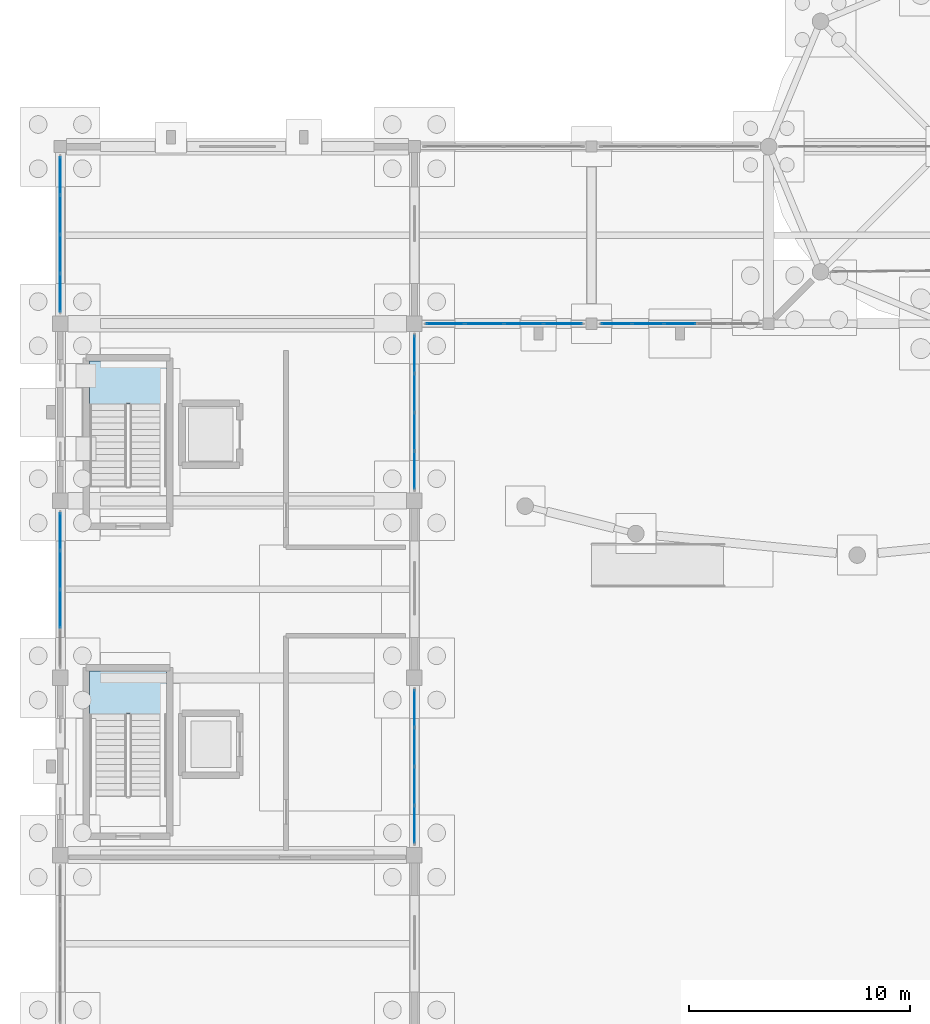
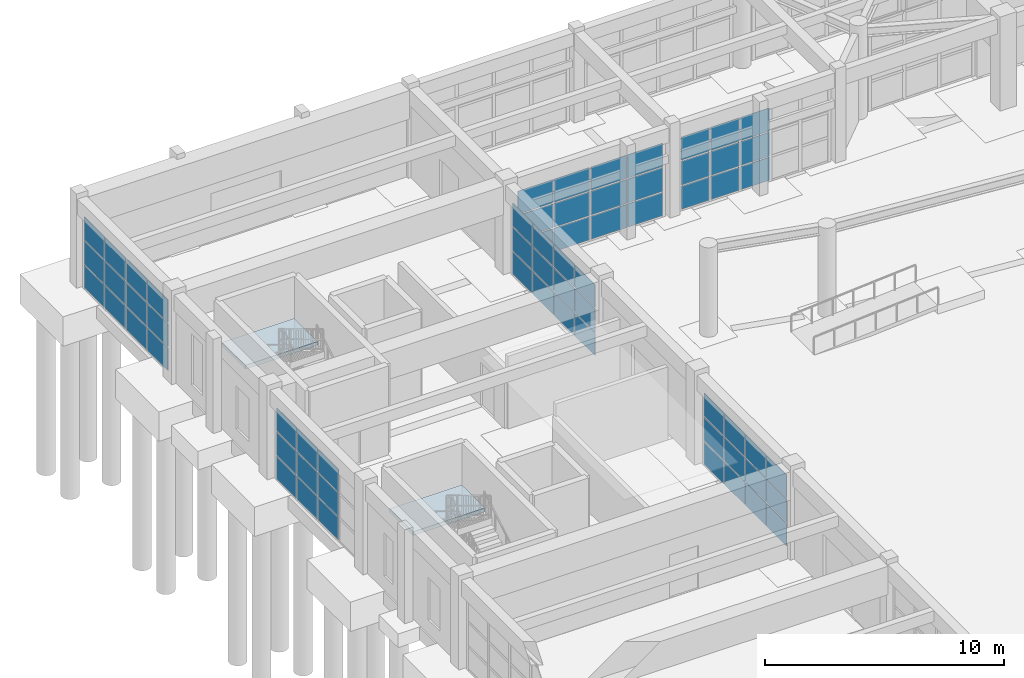
# One storey, part 36 of 68: 66 plates, 2 slabs, 8 elements without a shape of their own.
"""IFC4 building model written with IfcOpenShell, lengths in metres."""

from ifc_helpers import new_model, si_unit, direction, frame, origin, origin_2d, place, context, subcontext, project, spatial, polyline, rectangle, outline, extrude, material, layer, layer_set, type_object, element, aggregate, save


model = new_model("IFC4")

# Units and contexts
model_context = context("Model", 3, precision=1e-05, world=origin(), true_north=direction((0.0, 1.0)))
body_context = subcontext(model_context, "Body", "Model", "MODEL_VIEW")
ifc_project = project(units=[si_unit("LENGTHUNIT", "METRE"), si_unit("AREAUNIT", "SQUARE_METRE"), si_unit("VOLUMEUNIT", "CUBIC_METRE"), si_unit("PLANEANGLEUNIT", "RADIAN"), si_unit("MASSUNIT", "GRAM", prefix="KILO")], contexts=[model_context])

# Site, building, storey
site_placement = place(None, origin())
site = spatial("IfcSite", under=ifc_project, at=site_placement, CompositionType="ELEMENT")
building_placement = place(site_placement, origin())
building = spatial("IfcBuilding", under=site, at=building_placement, Name="Serraluz Foothill Cableway Terminal", CompositionType="ELEMENT")
storey_placement = place(building_placement, origin())
storey = spatial("IfcBuildingStorey", under=building, at=storey_placement, Name="L00", CompositionType="ELEMENT", Elevation=0.0)

# Curtain wall, plates
ifc_material_1 = material(Name="Architectural bronze alloy C28000", Category="aluminium")
curtain_wall_type_1 = type_object("IfcCurtainWallType", Name="TYP-CW-680X420", PredefinedType="NOTDEFINED", material=ifc_material_1)
curtain_wall_1_placement = place(storey_placement, origin())
curtain_wall_1 = element("IfcCurtainWall", 1, at=curtain_wall_1_placement, inside=storey, type_object=curtain_wall_type_1, Name="Ribbed Glazed Curtain Wall CW-V5E-L00-32", PredefinedType="NOTDEFINED")
ifc_material_2 = material(Name="Translucent ribbed laminated channel glass", Category="glass")
ifc_layer_1 = layer(ifc_material_2, 0.028076171875, Name="Translucent ribbed laminated channel glass", Category="glass")
ifc_layer_set_1 = layer_set([ifc_layer_1], Name="Translucent ribbed laminated channel glass")
plate_type = type_object("IfcPlateType", Name="TYP-CW-PNL-28", PredefinedType="CURTAIN_PANEL", material=ifc_layer_set_1)
plate_1_placement = place(storey_placement, frame((16.0, 38.617431640625, 0.06005859375), z_axis=(0.0, 0.0, 1.0), x_axis=(0.0, -1.0, 0.0)))
plate_1 = element("IfcPlate", 2, at=plate_1_placement, type_object=plate_type, Name="CW-13 panel 1.1", PredefinedType="CURTAIN_PANEL", context=body_context, shape_type="SweptSolid", body=[
    extrude(rectangle(XDim=1.6650390625, YDim=0.028076171875, at=origin_2d()), origin(), (0.0, 0.0, 1.0), 1.15673828125),
])
plate_2_placement = place(storey_placement, frame((16.0, 38.617431640625, 1.27685546875), z_axis=(0.0, 0.0, 1.0), x_axis=(0.0, -1.0, 0.0)))
plate_2 = element("IfcPlate", 3, at=plate_2_placement, type_object=plate_type, Name="CW-13 panel 1.2", PredefinedType="CURTAIN_PANEL", context=body_context, shape_type="SweptSolid", body=[
    extrude(rectangle(XDim=1.6650390625, YDim=0.028076171875, at=origin_2d()), origin(), (0.0, 0.0, 1.0), 1.1865234375),
])
plate_3_placement = place(storey_placement, frame((16.0, 38.617431640625, 2.523193359375), z_axis=(0.0, 0.0, 1.0), x_axis=(0.0, -1.0, 0.0)))
plate_3 = element("IfcPlate", 4, at=plate_3_placement, type_object=plate_type, Name="CW-13 panel 1.3", PredefinedType="CURTAIN_PANEL", context=body_context, shape_type="SweptSolid", body=[
    extrude(rectangle(XDim=1.6650390625, YDim=0.028076171875, at=origin_2d()), origin(), (0.0, 0.0, 1.0), 1.15673828125),
])
plate_4_placement = place(storey_placement, frame((16.0, 36.87744140625, 0.06005859375), z_axis=(0.0, 0.0, 1.0), x_axis=(0.0, -1.0, 0.0)))
plate_4 = element("IfcPlate", 5, at=plate_4_placement, type_object=plate_type, Name="CW-13 panel 2.1", PredefinedType="CURTAIN_PANEL", context=body_context, shape_type="SweptSolid", body=[
    extrude(rectangle(XDim=1.695068359375, YDim=0.028076171875, at=origin_2d()), origin(), (0.0, 0.0, 1.0), 1.15673828125),
])
plate_5_placement = place(storey_placement, frame((16.0, 36.87744140625, 1.27685546875), z_axis=(0.0, 0.0, 1.0), x_axis=(0.0, -1.0, 0.0)))
plate_5 = element("IfcPlate", 6, at=plate_5_placement, type_object=plate_type, Name="CW-13 panel 2.2", PredefinedType="CURTAIN_PANEL", context=body_context, shape_type="SweptSolid", body=[
    extrude(rectangle(XDim=1.695068359375, YDim=0.028076171875, at=origin_2d()), origin(), (0.0, 0.0, 1.0), 1.1865234375),
])
plate_6_placement = place(storey_placement, frame((16.0, 36.87744140625, 2.523193359375), z_axis=(0.0, 0.0, 1.0), x_axis=(0.0, -1.0, 0.0)))
plate_6 = element("IfcPlate", 7, at=plate_6_placement, type_object=plate_type, Name="CW-13 panel 2.3", PredefinedType="CURTAIN_PANEL", context=body_context, shape_type="SweptSolid", body=[
    extrude(rectangle(XDim=1.695068359375, YDim=0.028076171875, at=origin_2d()), origin(), (0.0, 0.0, 1.0), 1.15673828125),
])
plate_7_placement = place(storey_placement, frame((16.0, 35.12255859375, 0.06005859375), z_axis=(0.0, 0.0, 1.0), x_axis=(0.0, -1.0, 0.0)))
plate_7 = element("IfcPlate", 8, at=plate_7_placement, type_object=plate_type, Name="CW-13 panel 3.1", PredefinedType="CURTAIN_PANEL", context=body_context, shape_type="SweptSolid", body=[
    extrude(rectangle(XDim=1.695068359375, YDim=0.028076171875, at=origin_2d()), origin(), (0.0, 0.0, 1.0), 1.15673828125),
])
plate_8_placement = place(storey_placement, frame((16.0, 35.12255859375, 1.27685546875), z_axis=(0.0, 0.0, 1.0), x_axis=(0.0, -1.0, 0.0)))
plate_8 = element("IfcPlate", 9, at=plate_8_placement, type_object=plate_type, Name="CW-13 panel 3.2", PredefinedType="CURTAIN_PANEL", context=body_context, shape_type="SweptSolid", body=[
    extrude(rectangle(XDim=1.695068359375, YDim=0.028076171875, at=origin_2d()), origin(), (0.0, 0.0, 1.0), 1.1865234375),
])
plate_9_placement = place(storey_placement, frame((16.0, 35.12255859375, 2.523193359375), z_axis=(0.0, 0.0, 1.0), x_axis=(0.0, -1.0, 0.0)))
plate_9 = element("IfcPlate", 10, at=plate_9_placement, type_object=plate_type, Name="CW-13 panel 3.3", PredefinedType="CURTAIN_PANEL", context=body_context, shape_type="SweptSolid", body=[
    extrude(rectangle(XDim=1.695068359375, YDim=0.028076171875, at=origin_2d()), origin(), (0.0, 0.0, 1.0), 1.15673828125),
])
plate_10_placement = place(storey_placement, frame((16.0, 33.382568359375, 0.06005859375), z_axis=(0.0, 0.0, 1.0), x_axis=(0.0, -1.0, 0.0)))
plate_10 = element("IfcPlate", 11, at=plate_10_placement, type_object=plate_type, Name="CW-13 panel 4.1", PredefinedType="CURTAIN_PANEL", context=body_context, shape_type="SweptSolid", body=[
    extrude(rectangle(XDim=1.6650390625, YDim=0.028076171875, at=origin_2d()), origin(), (0.0, 0.0, 1.0), 1.15673828125),
])
plate_11_placement = place(storey_placement, frame((16.0, 33.382568359375, 1.27685546875), z_axis=(0.0, 0.0, 1.0), x_axis=(0.0, -1.0, 0.0)))
plate_11 = element("IfcPlate", 12, at=plate_11_placement, type_object=plate_type, Name="CW-13 panel 4.2", PredefinedType="CURTAIN_PANEL", context=body_context, shape_type="SweptSolid", body=[
    extrude(rectangle(XDim=1.6650390625, YDim=0.028076171875, at=origin_2d()), origin(), (0.0, 0.0, 1.0), 1.1865234375),
])
plate_12_placement = place(storey_placement, frame((16.0, 33.382568359375, 2.523193359375), z_axis=(0.0, 0.0, 1.0), x_axis=(0.0, -1.0, 0.0)))
plate_12 = element("IfcPlate", 13, at=plate_12_placement, type_object=plate_type, Name="CW-13 panel 4.3", PredefinedType="CURTAIN_PANEL", context=body_context, shape_type="SweptSolid", body=[
    extrude(rectangle(XDim=1.6650390625, YDim=0.028076171875, at=origin_2d()), origin(), (0.0, 0.0, 1.0), 1.15673828125),
])
aggregate(curtain_wall_1, [plate_1, plate_2, plate_3, plate_4, plate_5, plate_6, plate_7, plate_8, plate_9, plate_10, plate_11, plate_12])

curtain_wall_type_2 = type_object("IfcCurtainWallType", Name="TYP-CW-520X440", PredefinedType="NOTDEFINED", material=ifc_material_1)
curtain_wall_2_placement = place(storey_placement, origin())
curtain_wall_2 = element("IfcCurtainWall", 14, at=curtain_wall_2_placement, inside=storey, type_object=curtain_wall_type_2, Name="Ribbed Glazed Curtain Wall CW-V5W-L00-40", PredefinedType="NOTDEFINED")
plate_13_placement = place(storey_placement, frame((0.0, 43.12255859375, 0.06005859375), z_axis=(0.0, 0.0, 1.0), x_axis=(0.0, 1.0, 0.0)))
plate_13 = element("IfcPlate", 15, at=plate_13_placement, type_object=plate_type, Name="CW-08 panel 2.1", PredefinedType="CURTAIN_PANEL", context=body_context, shape_type="SweptSolid", body=[
    extrude(rectangle(XDim=1.695068359375, YDim=0.028076171875, at=origin_2d()), origin(), (0.0, 0.0, 1.0), 1.15673828125),
])
plate_14_placement = place(storey_placement, frame((0.0, 43.12255859375, 1.27685546875), z_axis=(0.0, 0.0, 1.0), x_axis=(0.0, 1.0, 0.0)))
plate_14 = element("IfcPlate", 16, at=plate_14_placement, type_object=plate_type, Name="CW-08 panel 2.2", PredefinedType="CURTAIN_PANEL", context=body_context, shape_type="SweptSolid", body=[
    extrude(rectangle(XDim=1.695068359375, YDim=0.028076171875, at=origin_2d()), origin(), (0.0, 0.0, 1.0), 1.1865234375),
])
plate_15_placement = place(storey_placement, frame((0.0, 43.12255859375, 2.523193359375), z_axis=(0.0, 0.0, 1.0), x_axis=(0.0, 1.0, 0.0)))
plate_15 = element("IfcPlate", 17, at=plate_15_placement, type_object=plate_type, Name="CW-08 panel 2.3", PredefinedType="CURTAIN_PANEL", context=body_context, shape_type="SweptSolid", body=[
    extrude(rectangle(XDim=1.695068359375, YDim=0.028076171875, at=origin_2d()), origin(), (0.0, 0.0, 1.0), 1.15673828125),
])
plate_16_placement = place(storey_placement, frame((0.0, 44.87744140625, 0.06005859375), z_axis=(0.0, 0.0, 1.0), x_axis=(0.0, 1.0, 0.0)))
plate_16 = element("IfcPlate", 18, at=plate_16_placement, type_object=plate_type, Name="CW-08 panel 3.1", PredefinedType="CURTAIN_PANEL", context=body_context, shape_type="SweptSolid", body=[
    extrude(rectangle(XDim=1.695068359375, YDim=0.028076171875, at=origin_2d()), origin(), (0.0, 0.0, 1.0), 1.15673828125),
])
plate_17_placement = place(storey_placement, frame((0.0, 44.87744140625, 1.27685546875), z_axis=(0.0, 0.0, 1.0), x_axis=(0.0, 1.0, 0.0)))
plate_17 = element("IfcPlate", 19, at=plate_17_placement, type_object=plate_type, Name="CW-08 panel 3.2", PredefinedType="CURTAIN_PANEL", context=body_context, shape_type="SweptSolid", body=[
    extrude(rectangle(XDim=1.695068359375, YDim=0.028076171875, at=origin_2d()), origin(), (0.0, 0.0, 1.0), 1.1865234375),
])
plate_18_placement = place(storey_placement, frame((0.0, 44.87744140625, 2.523193359375), z_axis=(0.0, 0.0, 1.0), x_axis=(0.0, 1.0, 0.0)))
plate_18 = element("IfcPlate", 20, at=plate_18_placement, type_object=plate_type, Name="CW-08 panel 3.3", PredefinedType="CURTAIN_PANEL", context=body_context, shape_type="SweptSolid", body=[
    extrude(rectangle(XDim=1.695068359375, YDim=0.028076171875, at=origin_2d()), origin(), (0.0, 0.0, 1.0), 1.15673828125),
])
plate_19_placement = place(storey_placement, frame((0.0, 46.617431640625, 0.06005859375), z_axis=(0.0, 0.0, 1.0), x_axis=(0.0, 1.0, 0.0)))
plate_19 = element("IfcPlate", 21, at=plate_19_placement, type_object=plate_type, Name="CW-08 panel 4.1", PredefinedType="CURTAIN_PANEL", context=body_context, shape_type="SweptSolid", body=[
    extrude(rectangle(XDim=1.6650390625, YDim=0.028076171875, at=origin_2d()), origin(), (0.0, 0.0, 1.0), 1.15673828125),
])
plate_20_placement = place(storey_placement, frame((0.0, 46.617431640625, 1.27685546875), z_axis=(0.0, 0.0, 1.0), x_axis=(0.0, 1.0, 0.0)))
plate_20 = element("IfcPlate", 22, at=plate_20_placement, type_object=plate_type, Name="CW-08 panel 4.2", PredefinedType="CURTAIN_PANEL", context=body_context, shape_type="SweptSolid", body=[
    extrude(rectangle(XDim=1.6650390625, YDim=0.028076171875, at=origin_2d()), origin(), (0.0, 0.0, 1.0), 1.1865234375),
])
plate_21_placement = place(storey_placement, frame((0.0, 46.617431640625, 2.523193359375), z_axis=(0.0, 0.0, 1.0), x_axis=(0.0, 1.0, 0.0)))
plate_21 = element("IfcPlate", 23, at=plate_21_placement, type_object=plate_type, Name="CW-08 panel 4.3", PredefinedType="CURTAIN_PANEL", context=body_context, shape_type="SweptSolid", body=[
    extrude(rectangle(XDim=1.6650390625, YDim=0.028076171875, at=origin_2d()), origin(), (0.0, 0.0, 1.0), 1.15673828125),
])
aggregate(curtain_wall_2, [plate_13, plate_14, plate_15, plate_16, plate_17, plate_18, plate_19, plate_20, plate_21])

curtain_wall_type_3 = type_object("IfcCurtainWallType", Name="TYP-CW-480X420", PredefinedType="NOTDEFINED", material=ifc_material_1)
curtain_wall_3_placement = place(storey_placement, origin())
curtain_wall_3 = element("IfcCurtainWall", 24, at=curtain_wall_3_placement, inside=storey, type_object=curtain_wall_type_3, Name="Ribbed Glazed Curtain Wall CW-V5E-L00-48", PredefinedType="NOTDEFINED")
plate_22_placement = place(storey_placement, frame((16.0, 54.617431640625, 0.06005859375), z_axis=(0.0, 0.0, 1.0), x_axis=(0.0, -1.0, 0.0)))
plate_22 = element("IfcPlate", 25, at=plate_22_placement, type_object=plate_type, Name="CW-15 panel 1.1", PredefinedType="CURTAIN_PANEL", context=body_context, shape_type="SweptSolid", body=[
    extrude(rectangle(XDim=1.6650390625, YDim=0.028076171875, at=origin_2d()), origin(), (0.0, 0.0, 1.0), 1.15673828125),
])
plate_23_placement = place(storey_placement, frame((16.0, 54.617431640625, 1.27685546875), z_axis=(0.0, 0.0, 1.0), x_axis=(0.0, -1.0, 0.0)))
plate_23 = element("IfcPlate", 26, at=plate_23_placement, type_object=plate_type, Name="CW-15 panel 1.2", PredefinedType="CURTAIN_PANEL", context=body_context, shape_type="SweptSolid", body=[
    extrude(rectangle(XDim=1.6650390625, YDim=0.028076171875, at=origin_2d()), origin(), (0.0, 0.0, 1.0), 1.1865234375),
])
plate_24_placement = place(storey_placement, frame((16.0, 54.617431640625, 2.523193359375), z_axis=(0.0, 0.0, 1.0), x_axis=(0.0, -1.0, 0.0)))
plate_24 = element("IfcPlate", 27, at=plate_24_placement, type_object=plate_type, Name="CW-15 panel 1.3", PredefinedType="CURTAIN_PANEL", context=body_context, shape_type="SweptSolid", body=[
    extrude(rectangle(XDim=1.6650390625, YDim=0.028076171875, at=origin_2d()), origin(), (0.0, 0.0, 1.0), 1.15673828125),
])
plate_25_placement = place(storey_placement, frame((16.0, 52.87744140625, 0.06005859375), z_axis=(0.0, 0.0, 1.0), x_axis=(0.0, -1.0, 0.0)))
plate_25 = element("IfcPlate", 28, at=plate_25_placement, type_object=plate_type, Name="CW-15 panel 2.1", PredefinedType="CURTAIN_PANEL", context=body_context, shape_type="SweptSolid", body=[
    extrude(rectangle(XDim=1.695068359375, YDim=0.028076171875, at=origin_2d()), origin(), (0.0, 0.0, 1.0), 1.15673828125),
])
plate_26_placement = place(storey_placement, frame((16.0, 52.87744140625, 1.27685546875), z_axis=(0.0, 0.0, 1.0), x_axis=(0.0, -1.0, 0.0)))
plate_26 = element("IfcPlate", 29, at=plate_26_placement, type_object=plate_type, Name="CW-15 panel 2.2", PredefinedType="CURTAIN_PANEL", context=body_context, shape_type="SweptSolid", body=[
    extrude(rectangle(XDim=1.695068359375, YDim=0.028076171875, at=origin_2d()), origin(), (0.0, 0.0, 1.0), 1.1865234375),
])
plate_27_placement = place(storey_placement, frame((16.0, 52.87744140625, 2.523193359375), z_axis=(0.0, 0.0, 1.0), x_axis=(0.0, -1.0, 0.0)))
plate_27 = element("IfcPlate", 30, at=plate_27_placement, type_object=plate_type, Name="CW-15 panel 2.3", PredefinedType="CURTAIN_PANEL", context=body_context, shape_type="SweptSolid", body=[
    extrude(rectangle(XDim=1.695068359375, YDim=0.028076171875, at=origin_2d()), origin(), (0.0, 0.0, 1.0), 1.15673828125),
])
plate_28_placement = place(storey_placement, frame((16.0, 51.12255859375, 0.06005859375), z_axis=(0.0, 0.0, 1.0), x_axis=(0.0, -1.0, 0.0)))
plate_28 = element("IfcPlate", 31, at=plate_28_placement, type_object=plate_type, Name="CW-15 panel 3.1", PredefinedType="CURTAIN_PANEL", context=body_context, shape_type="SweptSolid", body=[
    extrude(rectangle(XDim=1.695068359375, YDim=0.028076171875, at=origin_2d()), origin(), (0.0, 0.0, 1.0), 1.15673828125),
])
plate_29_placement = place(storey_placement, frame((16.0, 51.12255859375, 1.27685546875), z_axis=(0.0, 0.0, 1.0), x_axis=(0.0, -1.0, 0.0)))
plate_29 = element("IfcPlate", 32, at=plate_29_placement, type_object=plate_type, Name="CW-15 panel 3.2", PredefinedType="CURTAIN_PANEL", context=body_context, shape_type="SweptSolid", body=[
    extrude(rectangle(XDim=1.695068359375, YDim=0.028076171875, at=origin_2d()), origin(), (0.0, 0.0, 1.0), 1.1865234375),
])
plate_30_placement = place(storey_placement, frame((16.0, 51.12255859375, 2.523193359375), z_axis=(0.0, 0.0, 1.0), x_axis=(0.0, -1.0, 0.0)))
plate_30 = element("IfcPlate", 33, at=plate_30_placement, type_object=plate_type, Name="CW-15 panel 3.3", PredefinedType="CURTAIN_PANEL", context=body_context, shape_type="SweptSolid", body=[
    extrude(rectangle(XDim=1.695068359375, YDim=0.028076171875, at=origin_2d()), origin(), (0.0, 0.0, 1.0), 1.15673828125),
])
plate_31_placement = place(storey_placement, frame((16.0, 49.382568359375, 0.06005859375), z_axis=(0.0, 0.0, 1.0), x_axis=(0.0, -1.0, 0.0)))
plate_31 = element("IfcPlate", 34, at=plate_31_placement, type_object=plate_type, Name="CW-15 panel 4.1", PredefinedType="CURTAIN_PANEL", context=body_context, shape_type="SweptSolid", body=[
    extrude(rectangle(XDim=1.6650390625, YDim=0.028076171875, at=origin_2d()), origin(), (0.0, 0.0, 1.0), 1.15673828125),
])
plate_32_placement = place(storey_placement, frame((16.0, 49.382568359375, 1.27685546875), z_axis=(0.0, 0.0, 1.0), x_axis=(0.0, -1.0, 0.0)))
plate_32 = element("IfcPlate", 35, at=plate_32_placement, type_object=plate_type, Name="CW-15 panel 4.2", PredefinedType="CURTAIN_PANEL", context=body_context, shape_type="SweptSolid", body=[
    extrude(rectangle(XDim=1.6650390625, YDim=0.028076171875, at=origin_2d()), origin(), (0.0, 0.0, 1.0), 1.1865234375),
])
plate_33_placement = place(storey_placement, frame((16.0, 49.382568359375, 2.523193359375), z_axis=(0.0, 0.0, 1.0), x_axis=(0.0, -1.0, 0.0)))
plate_33 = element("IfcPlate", 36, at=plate_33_placement, type_object=plate_type, Name="CW-15 panel 4.3", PredefinedType="CURTAIN_PANEL", context=body_context, shape_type="SweptSolid", body=[
    extrude(rectangle(XDim=1.6650390625, YDim=0.028076171875, at=origin_2d()), origin(), (0.0, 0.0, 1.0), 1.15673828125),
])
aggregate(curtain_wall_3, [plate_22, plate_23, plate_24, plate_25, plate_26, plate_27, plate_28, plate_29, plate_30, plate_31, plate_32, plate_33])

curtain_wall_type_4 = type_object("IfcCurtainWallType", Name="TYP-CW-540X420", PredefinedType="NOTDEFINED", material=ifc_material_1)
curtain_wall_4_placement = place(storey_placement, origin())
curtain_wall_4 = element("IfcCurtainWall", 37, at=curtain_wall_4_placement, inside=storey, type_object=curtain_wall_type_4, Name="Ribbed Glazed Curtain Wall CW-V5W-L00-56", PredefinedType="NOTDEFINED")
plate_34_placement = place(storey_placement, frame((0.0, 57.391845703125, 0.06005859375), z_axis=(0.0, 0.0, 1.0), x_axis=(0.0, 1.0, 0.0)))
plate_34 = element("IfcPlate", 38, at=plate_34_placement, type_object=plate_type, Name="CW-10 panel 1.1", PredefinedType="CURTAIN_PANEL", context=body_context, shape_type="SweptSolid", body=[
    extrude(rectangle(XDim=1.683837890625, YDim=0.028076171875, at=origin_2d()), origin(), (0.0, 0.0, 1.0), 1.15673828125),
])
plate_35_placement = place(storey_placement, frame((0.0, 57.391845703125, 1.27685546875), z_axis=(0.0, 0.0, 1.0), x_axis=(0.0, 1.0, 0.0)))
plate_35 = element("IfcPlate", 39, at=plate_35_placement, type_object=plate_type, Name="CW-10 panel 1.2", PredefinedType="CURTAIN_PANEL", context=body_context, shape_type="SweptSolid", body=[
    extrude(rectangle(XDim=1.683837890625, YDim=0.028076171875, at=origin_2d()), origin(), (0.0, 0.0, 1.0), 1.1865234375),
])
plate_36_placement = place(storey_placement, frame((0.0, 57.391845703125, 2.523193359375), z_axis=(0.0, 0.0, 1.0), x_axis=(0.0, 1.0, 0.0)))
plate_36 = element("IfcPlate", 40, at=plate_36_placement, type_object=plate_type, Name="CW-10 panel 1.3", PredefinedType="CURTAIN_PANEL", context=body_context, shape_type="SweptSolid", body=[
    extrude(rectangle(XDim=1.683837890625, YDim=0.028076171875, at=origin_2d()), origin(), (0.0, 0.0, 1.0), 1.15673828125),
])
plate_37_placement = place(storey_placement, frame((0.0, 59.150634765625, 0.06005859375), z_axis=(0.0, 0.0, 1.0), x_axis=(0.0, 1.0, 0.0)))
plate_37 = element("IfcPlate", 41, at=plate_37_placement, type_object=plate_type, Name="CW-10 panel 2.1", PredefinedType="CURTAIN_PANEL", context=body_context, shape_type="SweptSolid", body=[
    extrude(rectangle(XDim=1.7138671875, YDim=0.028076171875, at=origin_2d()), origin(), (0.0, 0.0, 1.0), 1.15673828125),
])
plate_38_placement = place(storey_placement, frame((0.0, 59.150634765625, 1.27685546875), z_axis=(0.0, 0.0, 1.0), x_axis=(0.0, 1.0, 0.0)))
plate_38 = element("IfcPlate", 42, at=plate_38_placement, type_object=plate_type, Name="CW-10 panel 2.2", PredefinedType="CURTAIN_PANEL", context=body_context, shape_type="SweptSolid", body=[
    extrude(rectangle(XDim=1.7138671875, YDim=0.028076171875, at=origin_2d()), origin(), (0.0, 0.0, 1.0), 1.1865234375),
])
plate_39_placement = place(storey_placement, frame((0.0, 59.150634765625, 2.523193359375), z_axis=(0.0, 0.0, 1.0), x_axis=(0.0, 1.0, 0.0)))
plate_39 = element("IfcPlate", 43, at=plate_39_placement, type_object=plate_type, Name="CW-10 panel 2.3", PredefinedType="CURTAIN_PANEL", context=body_context, shape_type="SweptSolid", body=[
    extrude(rectangle(XDim=1.7138671875, YDim=0.028076171875, at=origin_2d()), origin(), (0.0, 0.0, 1.0), 1.15673828125),
])
plate_40_placement = place(storey_placement, frame((0.0, 60.92431640625, 0.06005859375), z_axis=(0.0, 0.0, 1.0), x_axis=(0.0, 1.0, 0.0)))
plate_40 = element("IfcPlate", 44, at=plate_40_placement, type_object=plate_type, Name="CW-10 panel 3.1", PredefinedType="CURTAIN_PANEL", context=body_context, shape_type="SweptSolid", body=[
    extrude(rectangle(XDim=1.7138671875, YDim=0.028076171875, at=origin_2d()), origin(), (0.0, 0.0, 1.0), 1.15673828125),
])
plate_41_placement = place(storey_placement, frame((0.0, 60.92431640625, 1.27685546875), z_axis=(0.0, 0.0, 1.0), x_axis=(0.0, 1.0, 0.0)))
plate_41 = element("IfcPlate", 45, at=plate_41_placement, type_object=plate_type, Name="CW-10 panel 3.2", PredefinedType="CURTAIN_PANEL", context=body_context, shape_type="SweptSolid", body=[
    extrude(rectangle(XDim=1.7138671875, YDim=0.028076171875, at=origin_2d()), origin(), (0.0, 0.0, 1.0), 1.1865234375),
])
plate_42_placement = place(storey_placement, frame((0.0, 60.92431640625, 2.523193359375), z_axis=(0.0, 0.0, 1.0), x_axis=(0.0, 1.0, 0.0)))
plate_42 = element("IfcPlate", 46, at=plate_42_placement, type_object=plate_type, Name="CW-10 panel 3.3", PredefinedType="CURTAIN_PANEL", context=body_context, shape_type="SweptSolid", body=[
    extrude(rectangle(XDim=1.7138671875, YDim=0.028076171875, at=origin_2d()), origin(), (0.0, 0.0, 1.0), 1.15673828125),
])
plate_43_placement = place(storey_placement, frame((0.0, 62.68310546875, 0.06005859375), z_axis=(0.0, 0.0, 1.0), x_axis=(0.0, 1.0, 0.0)))
plate_43 = element("IfcPlate", 47, at=plate_43_placement, type_object=plate_type, Name="CW-10 panel 4.1", PredefinedType="CURTAIN_PANEL", context=body_context, shape_type="SweptSolid", body=[
    extrude(rectangle(XDim=1.683837890625, YDim=0.028076171875, at=origin_2d()), origin(), (0.0, 0.0, 1.0), 1.15673828125),
])
plate_44_placement = place(storey_placement, frame((0.0, 62.68310546875, 1.27685546875), z_axis=(0.0, 0.0, 1.0), x_axis=(0.0, 1.0, 0.0)))
plate_44 = element("IfcPlate", 48, at=plate_44_placement, type_object=plate_type, Name="CW-10 panel 4.2", PredefinedType="CURTAIN_PANEL", context=body_context, shape_type="SweptSolid", body=[
    extrude(rectangle(XDim=1.683837890625, YDim=0.028076171875, at=origin_2d()), origin(), (0.0, 0.0, 1.0), 1.1865234375),
])
plate_45_placement = place(storey_placement, frame((0.0, 62.68310546875, 2.523193359375), z_axis=(0.0, 0.0, 1.0), x_axis=(0.0, 1.0, 0.0)))
plate_45 = element("IfcPlate", 49, at=plate_45_placement, type_object=plate_type, Name="CW-10 panel 4.3", PredefinedType="CURTAIN_PANEL", context=body_context, shape_type="SweptSolid", body=[
    extrude(rectangle(XDim=1.683837890625, YDim=0.028076171875, at=origin_2d()), origin(), (0.0, 0.0, 1.0), 1.15673828125),
])
aggregate(curtain_wall_4, [plate_34, plate_35, plate_36, plate_37, plate_38, plate_39, plate_40, plate_41, plate_42, plate_43, plate_44, plate_45])

curtain_wall_type_5 = type_object("IfcCurtainWallType", Name="TYP-CW-710X420", PredefinedType="NOTDEFINED", material=ifc_material_1)
curtain_wall_5_placement = place(storey_placement, origin())
curtain_wall_5 = element("IfcCurtainWall", 50, at=curtain_wall_5_placement, inside=storey, type_object=curtain_wall_type_5, Name="Ribbed Glazed Curtain Wall CW-WLS-L00-16", PredefinedType="NOTDEFINED")
plate_46_placement = place(storey_placement, frame((22.705078125, 56.0, 0.06005859375), z_axis=(0.0, 0.0, 1.0), x_axis=(-1.0, 0.0, 0.0)))
plate_46 = element("IfcPlate", 51, at=plate_46_placement, type_object=plate_type, Name="CW-01 panel 1.1", PredefinedType="CURTAIN_PANEL", context=body_context, shape_type="SweptSolid", body=[
    extrude(rectangle(XDim=1.68994140625, YDim=0.028076171875, at=origin_2d()), origin(), (0.0, 0.0, 1.0), 1.179931640625),
])
plate_47_placement = place(storey_placement, frame((22.705078125, 56.0, 1.300048828125), z_axis=(0.0, 0.0, 1.0), x_axis=(-1.0, 0.0, 0.0)))
plate_47 = element("IfcPlate", 52, at=plate_47_placement, type_object=plate_type, Name="CW-01 panel 1.2", PredefinedType="CURTAIN_PANEL", context=body_context, shape_type="SweptSolid", body=[
    extrude(rectangle(XDim=1.68994140625, YDim=0.028076171875, at=origin_2d()), origin(), (0.0, 0.0, 1.0), 1.2099609375),
])
plate_48_placement = place(storey_placement, frame((22.705078125, 56.0, 2.56982421875), z_axis=(0.0, 0.0, 1.0), x_axis=(-1.0, 0.0, 0.0)))
plate_48 = element("IfcPlate", 53, at=plate_48_placement, type_object=plate_type, Name="CW-01 panel 1.3", PredefinedType="CURTAIN_PANEL", context=body_context, shape_type="SweptSolid", body=[
    extrude(rectangle(XDim=1.68994140625, YDim=0.028076171875, at=origin_2d()), origin(), (0.0, 0.0, 1.0), 1.179931640625),
])
plate_49_placement = place(storey_placement, frame((20.93994140625, 56.0, 0.06005859375), z_axis=(0.0, 0.0, 1.0), x_axis=(-1.0, 0.0, 0.0)))
plate_49 = element("IfcPlate", 54, at=plate_49_placement, type_object=plate_type, Name="CW-01 panel 2.1", PredefinedType="CURTAIN_PANEL", context=body_context, shape_type="SweptSolid", body=[
    extrude(rectangle(XDim=1.719970703125, YDim=0.028076171875, at=origin_2d()), origin(), (0.0, 0.0, 1.0), 1.179931640625),
])
plate_50_placement = place(storey_placement, frame((20.93994140625, 56.0, 1.300048828125), z_axis=(0.0, 0.0, 1.0), x_axis=(-1.0, 0.0, 0.0)))
plate_50 = element("IfcPlate", 55, at=plate_50_placement, type_object=plate_type, Name="CW-01 panel 2.2", PredefinedType="CURTAIN_PANEL", context=body_context, shape_type="SweptSolid", body=[
    extrude(rectangle(XDim=1.719970703125, YDim=0.028076171875, at=origin_2d()), origin(), (0.0, 0.0, 1.0), 1.2099609375),
])
plate_51_placement = place(storey_placement, frame((20.93994140625, 56.0, 2.56982421875), z_axis=(0.0, 0.0, 1.0), x_axis=(-1.0, 0.0, 0.0)))
plate_51 = element("IfcPlate", 56, at=plate_51_placement, type_object=plate_type, Name="CW-01 panel 2.3", PredefinedType="CURTAIN_PANEL", context=body_context, shape_type="SweptSolid", body=[
    extrude(rectangle(XDim=1.719970703125, YDim=0.028076171875, at=origin_2d()), origin(), (0.0, 0.0, 1.0), 1.179931640625),
])
plate_52_placement = place(storey_placement, frame((19.159912109375, 56.0, 0.06005859375), z_axis=(0.0, 0.0, 1.0), x_axis=(-1.0, 0.0, 0.0)))
plate_52 = element("IfcPlate", 57, at=plate_52_placement, type_object=plate_type, Name="CW-01 panel 3.1", PredefinedType="CURTAIN_PANEL", context=body_context, shape_type="SweptSolid", body=[
    extrude(rectangle(XDim=1.719970703125, YDim=0.028076171875, at=origin_2d()), origin(), (0.0, 0.0, 1.0), 1.179931640625),
])
plate_53_placement = place(storey_placement, frame((19.159912109375, 56.0, 1.300048828125), z_axis=(0.0, 0.0, 1.0), x_axis=(-1.0, 0.0, 0.0)))
plate_53 = element("IfcPlate", 58, at=plate_53_placement, type_object=plate_type, Name="CW-01 panel 3.2", PredefinedType="CURTAIN_PANEL", context=body_context, shape_type="SweptSolid", body=[
    extrude(rectangle(XDim=1.719970703125, YDim=0.028076171875, at=origin_2d()), origin(), (0.0, 0.0, 1.0), 1.2099609375),
])
plate_54_placement = place(storey_placement, frame((19.159912109375, 56.0, 2.56982421875), z_axis=(0.0, 0.0, 1.0), x_axis=(-1.0, 0.0, 0.0)))
plate_54 = element("IfcPlate", 59, at=plate_54_placement, type_object=plate_type, Name="CW-01 panel 3.3", PredefinedType="CURTAIN_PANEL", context=body_context, shape_type="SweptSolid", body=[
    extrude(rectangle(XDim=1.719970703125, YDim=0.028076171875, at=origin_2d()), origin(), (0.0, 0.0, 1.0), 1.179931640625),
])
plate_55_placement = place(storey_placement, frame((17.39501953125, 56.0, 0.06005859375), z_axis=(0.0, 0.0, 1.0), x_axis=(-1.0, 0.0, 0.0)))
plate_55 = element("IfcPlate", 60, at=plate_55_placement, type_object=plate_type, Name="CW-01 panel 4.1", PredefinedType="CURTAIN_PANEL", context=body_context, shape_type="SweptSolid", body=[
    extrude(rectangle(XDim=1.68994140625, YDim=0.028076171875, at=origin_2d()), origin(), (0.0, 0.0, 1.0), 1.179931640625),
])
plate_56_placement = place(storey_placement, frame((17.39501953125, 56.0, 1.300048828125), z_axis=(0.0, 0.0, 1.0), x_axis=(-1.0, 0.0, 0.0)))
plate_56 = element("IfcPlate", 61, at=plate_56_placement, type_object=plate_type, Name="CW-01 panel 4.2", PredefinedType="CURTAIN_PANEL", context=body_context, shape_type="SweptSolid", body=[
    extrude(rectangle(XDim=1.68994140625, YDim=0.028076171875, at=origin_2d()), origin(), (0.0, 0.0, 1.0), 1.2099609375),
])
plate_57_placement = place(storey_placement, frame((17.39501953125, 56.0, 2.56982421875), z_axis=(0.0, 0.0, 1.0), x_axis=(-1.0, 0.0, 0.0)))
plate_57 = element("IfcPlate", 62, at=plate_57_placement, type_object=plate_type, Name="CW-01 panel 4.3", PredefinedType="CURTAIN_PANEL", context=body_context, shape_type="SweptSolid", body=[
    extrude(rectangle(XDim=1.68994140625, YDim=0.028076171875, at=origin_2d()), origin(), (0.0, 0.0, 1.0), 1.179931640625),
])
aggregate(curtain_wall_5, [plate_46, plate_47, plate_48, plate_49, plate_50, plate_51, plate_52, plate_53, plate_54, plate_55, plate_56, plate_57])

curtain_wall_6_placement = place(storey_placement, origin())
curtain_wall_6 = element("IfcCurtainWall", 63, at=curtain_wall_6_placement, inside=storey, type_object=curtain_wall_type_5, Name="Ribbed Glazed Curtain Wall CW-WLS-L00-24", PredefinedType="NOTDEFINED")
plate_58_placement = place(storey_placement, frame((28.0, 56.0, 0.06005859375), z_axis=(0.0, 0.0, 1.0), x_axis=(-1.0, 0.0, 0.0)))
plate_58 = element("IfcPlate", 64, at=plate_58_placement, type_object=plate_type, Name="CW-01 panel 3.1", PredefinedType="CURTAIN_PANEL", context=body_context, shape_type="SweptSolid", body=[
    extrude(rectangle(XDim=1.384033203125, YDim=0.028076171875, at=origin_2d()), origin(), (0.0, 0.0, 1.0), 1.179931640625),
])
plate_59_placement = place(storey_placement, frame((28.0, 56.0, 1.300048828125), z_axis=(0.0, 0.0, 1.0), x_axis=(-1.0, 0.0, 0.0)))
plate_59 = element("IfcPlate", 65, at=plate_59_placement, type_object=plate_type, Name="CW-01 panel 3.2", PredefinedType="CURTAIN_PANEL", context=body_context, shape_type="SweptSolid", body=[
    extrude(rectangle(XDim=1.384033203125, YDim=0.028076171875, at=origin_2d()), origin(), (0.0, 0.0, 1.0), 1.2099609375),
])
plate_60_placement = place(storey_placement, frame((28.0, 56.0, 2.56982421875), z_axis=(0.0, 0.0, 1.0), x_axis=(-1.0, 0.0, 0.0)))
plate_60 = element("IfcPlate", 66, at=plate_60_placement, type_object=plate_type, Name="CW-01 panel 3.3", PredefinedType="CURTAIN_PANEL", context=body_context, shape_type="SweptSolid", body=[
    extrude(rectangle(XDim=1.384033203125, YDim=0.028076171875, at=origin_2d()), origin(), (0.0, 0.0, 1.0), 1.179931640625),
])
plate_61_placement = place(storey_placement, frame((26.555908203125, 56.0, 0.06005859375), z_axis=(0.0, 0.0, 1.0), x_axis=(-1.0, 0.0, 0.0)))
plate_61 = element("IfcPlate", 67, at=plate_61_placement, type_object=plate_type, Name="CW-01 panel 4.1", PredefinedType="CURTAIN_PANEL", context=body_context, shape_type="SweptSolid", body=[
    extrude(rectangle(XDim=1.384033203125, YDim=0.028076171875, at=origin_2d()), origin(), (0.0, 0.0, 1.0), 1.179931640625),
])
plate_62_placement = place(storey_placement, frame((26.555908203125, 56.0, 1.300048828125), z_axis=(0.0, 0.0, 1.0), x_axis=(-1.0, 0.0, 0.0)))
plate_62 = element("IfcPlate", 68, at=plate_62_placement, type_object=plate_type, Name="CW-01 panel 4.2", PredefinedType="CURTAIN_PANEL", context=body_context, shape_type="SweptSolid", body=[
    extrude(rectangle(XDim=1.384033203125, YDim=0.028076171875, at=origin_2d()), origin(), (0.0, 0.0, 1.0), 1.2099609375),
])
plate_63_placement = place(storey_placement, frame((26.555908203125, 56.0, 2.56982421875), z_axis=(0.0, 0.0, 1.0), x_axis=(-1.0, 0.0, 0.0)))
plate_63 = element("IfcPlate", 69, at=plate_63_placement, type_object=plate_type, Name="CW-01 panel 4.3", PredefinedType="CURTAIN_PANEL", context=body_context, shape_type="SweptSolid", body=[
    extrude(rectangle(XDim=1.384033203125, YDim=0.028076171875, at=origin_2d()), origin(), (0.0, 0.0, 1.0), 1.179931640625),
])
plate_64_placement = place(storey_placement, frame((25.126953125, 56.0, 0.06005859375), z_axis=(0.0, 0.0, 1.0), x_axis=(-1.0, 0.0, 0.0)))
plate_64 = element("IfcPlate", 70, at=plate_64_placement, type_object=plate_type, Name="CW-01 panel 5.1", PredefinedType="CURTAIN_PANEL", context=body_context, shape_type="SweptSolid", body=[
    extrude(rectangle(XDim=1.35400390625, YDim=0.028076171875, at=origin_2d()), origin(), (0.0, 0.0, 1.0), 1.179931640625),
])
plate_65_placement = place(storey_placement, frame((25.126953125, 56.0, 1.300048828125), z_axis=(0.0, 0.0, 1.0), x_axis=(-1.0, 0.0, 0.0)))
plate_65 = element("IfcPlate", 71, at=plate_65_placement, type_object=plate_type, Name="CW-01 panel 5.2", PredefinedType="CURTAIN_PANEL", context=body_context, shape_type="SweptSolid", body=[
    extrude(rectangle(XDim=1.35400390625, YDim=0.028076171875, at=origin_2d()), origin(), (0.0, 0.0, 1.0), 1.2099609375),
])
plate_66_placement = place(storey_placement, frame((25.126953125, 56.0, 2.56982421875), z_axis=(0.0, 0.0, 1.0), x_axis=(-1.0, 0.0, 0.0)))
plate_66 = element("IfcPlate", 72, at=plate_66_placement, type_object=plate_type, Name="CW-01 panel 5.3", PredefinedType="CURTAIN_PANEL", context=body_context, shape_type="SweptSolid", body=[
    extrude(rectangle(XDim=1.35400390625, YDim=0.028076171875, at=origin_2d()), origin(), (0.0, 0.0, 1.0), 1.179931640625),
])
aggregate(curtain_wall_6, [plate_58, plate_59, plate_60, plate_61, plate_62, plate_63, plate_64, plate_65, plate_66])

# Stair, slab
ifc_material_3 = material(Name="Concrete C35/45 (f'c 35 MPa)", Category="concrete")
stair_type = type_object("IfcStairType", Name="TYP-ST-DOG-166-48", PredefinedType="HALF_TURN_STAIR", material=ifc_material_3)
stair_1_placement = place(storey_placement, origin())
stair_1 = element("IfcStair", 73, at=stair_1_placement, inside=storey, type_object=stair_type, Name="L00 ST-01", PredefinedType="HALF_TURN_STAIR")
ifc_material_4 = material(Name="Concrete C28/35 (f'c 28 MPa)", Category="concrete")
ifc_layer_2 = layer(ifc_material_4, 0.199951171875, Name="Concrete C28/35 (f'c 28 MPa)", Category="concrete")
ifc_layer_set_2 = layer_set([ifc_layer_2], Name="Concrete C28/35 (f'c 28 MPa)")
slab_type = type_object("IfcSlabType", Name="TYP-SLB-LND-200", PredefinedType="LANDING", material=ifc_layer_set_2)
slab_1_placement = place(storey_placement, frame((0.0, 0.0, 2.199951171875)))
slab_1 = element("IfcSlab", 74, at=slab_1_placement, type_object=slab_type, Name="ST-01 landing 1", PredefinedType="LANDING", context=body_context, shape_type="SweptSolid", body=[
    extrude(outline(polyline([(4.800048828125, 52.364990234375), (4.800048828125, 54.31005859375), (1.320068359375, 54.31005859375), (1.320068359375, 52.364990234375), (4.800048828125, 52.364990234375)])), origin(), (0.0, 0.0, 1.0), 0.199951171875),
])
aggregate(stair_1, [slab_1])

stair_2_placement = place(storey_placement, origin())
stair_2 = element("IfcStair", 75, at=stair_2_placement, inside=storey, type_object=stair_type, Name="L00 ST-02", PredefinedType="HALF_TURN_STAIR")
slab_2_placement = place(storey_placement, frame((0.0, 0.0, 2.199951171875)))
slab_2 = element("IfcSlab", 76, at=slab_2_placement, type_object=slab_type, Name="ST-02 landing 1", PredefinedType="LANDING", context=body_context, shape_type="SweptSolid", body=[
    extrude(outline(polyline([(4.800048828125, 38.364990234375), (4.800048828125, 40.31005859375), (1.320068359375, 40.31005859375), (1.320068359375, 38.364990234375), (4.800048828125, 38.364990234375)])), origin(), (0.0, 0.0, 1.0), 0.199951171875),
])
aggregate(stair_2, [slab_2])

save(model, "model.ifc")
